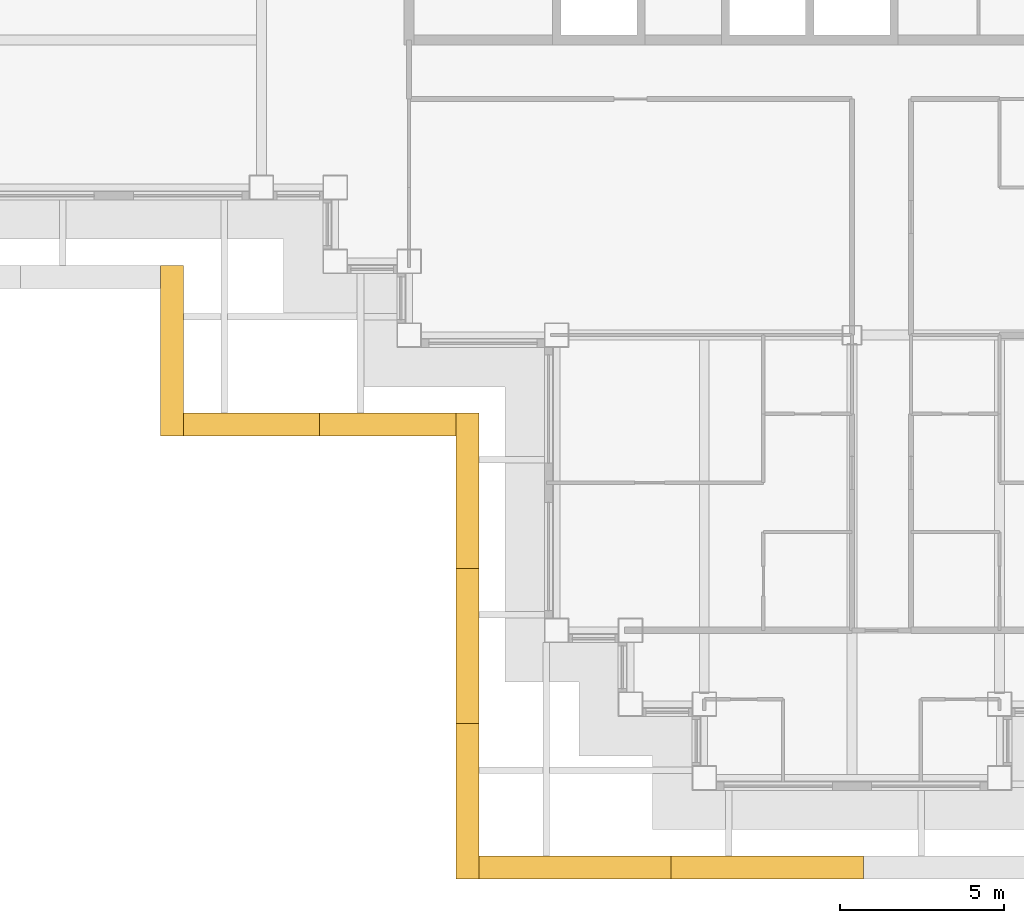
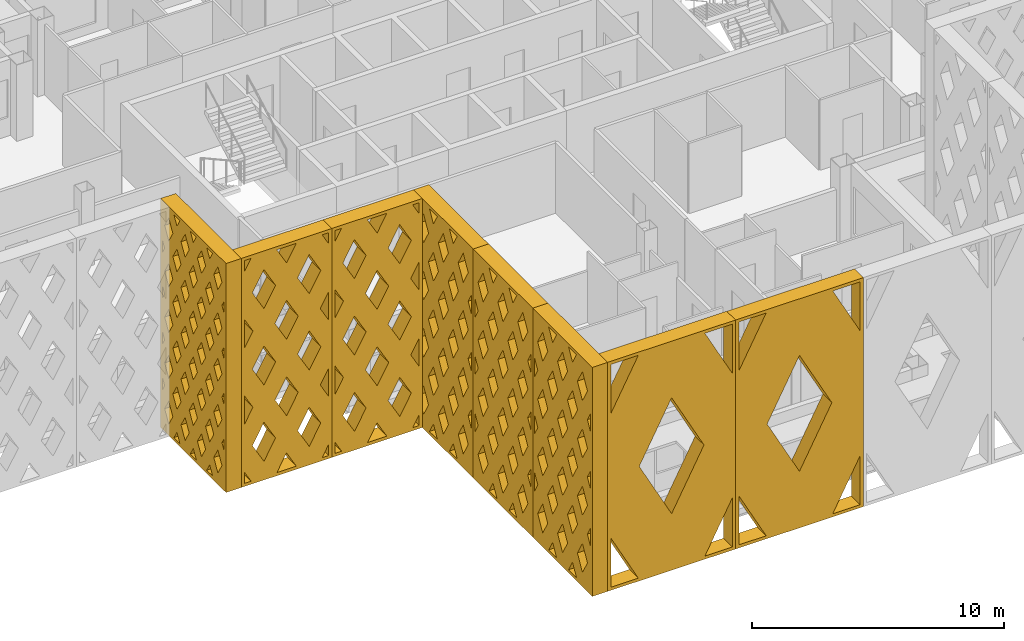
# One storey, part 13 of 18: 8 shading devices.
"""IFC4 building model written with IfcOpenShell, lengths in metres."""

from ifc_helpers import new_model, si_unit, direction, frame, origin, place, context, subcontext, project, spatial, polyline, outline, extrude, material, type_object, element, save


model = new_model("IFC4")

# Units and contexts
model_context = context("Model", 3, precision=1e-05, world=origin(), true_north=direction((0.0, 1.0)))
body_context = subcontext(model_context, "Body", "Model", "MODEL_VIEW")
ifc_project = project(units=[si_unit("LENGTHUNIT", "METRE"), si_unit("AREAUNIT", "SQUARE_METRE"), si_unit("VOLUMEUNIT", "CUBIC_METRE"), si_unit("PLANEANGLEUNIT", "RADIAN"), si_unit("MASSUNIT", "GRAM", prefix="KILO")], contexts=[model_context])

# Site, building, storey
site_placement = place(None, origin())
site = spatial("IfcSite", under=ifc_project, at=site_placement, CompositionType="ELEMENT")
building_placement = place(site_placement, origin())
building = spatial("IfcBuilding", under=site, at=building_placement, Name="Caravel Reach Hotel and Residences", CompositionType="ELEMENT")
storey_placement = place(building_placement, frame((0.0, 0.0, 176.5)))
storey = spatial("IfcBuildingStorey", under=building, at=storey_placement, Name="L44", CompositionType="ELEMENT", Elevation=176.5)

# Shading devices
ifc_material_1 = material(Name="Black powder-coated aluminium", Category="aluminium")
shading_device_type_1 = type_object("IfcShadingDeviceType", Name="Diamond lattice screen panel 4150 x 11100", PredefinedType="USERDEFINED", material=ifc_material_1)
shading_device_1_placement = place(storey_placement, frame((11.125, 11.125, 0.0), z_axis=(0.0, -1.0, 0.0), x_axis=(1.0, 0.0, 0.0)))
element("IfcShadingDevice", 1, at=shading_device_1_placement, inside=storey, type_object=shading_device_type_1, Name="Lattice screen L44-L46 16.1", ObjectType="SCREEN", PredefinedType="USERDEFINED", context=body_context, shape_type="SweptSolid", body=[
    extrude(outline(polyline([(0.0, 0.0), (4.14990234375, 0.0), (4.14990234375, 11.10009765625), (0.0, 11.10009765625), (0.0, 0.0)]), holes=[polyline([(0.447509765625, 0.14990234375), (0.14990234375, 0.6806640625), (0.14990234375, 0.14990234375), (0.447509765625, 0.14990234375)]), polyline([(0.53173828125, 3.699951171875), (0.14990234375, 4.380615234375), (0.14990234375, 3.019287109375), (0.53173828125, 3.699951171875)]), polyline([(0.53173828125, 7.39990234375), (0.14990234375, 8.08056640625), (0.14990234375, 6.719482421875), (0.53173828125, 7.39990234375)]), polyline([(0.14990234375, 10.41943359375), (0.447509765625, 10.949951171875), (0.14990234375, 10.949951171875), (0.14990234375, 10.41943359375)]), polyline([(1.03759765625, 2.798095703125), (0.505859375, 1.85009765625), (1.03759765625, 0.90185546875), (1.569091796875, 1.85009765625), (1.03759765625, 2.798095703125)]), polyline([(1.03759765625, 6.498046875), (0.505859375, 5.550048828125), (1.03759765625, 4.60205078125), (1.569091796875, 5.550048828125), (1.03759765625, 6.498046875)]), polyline([(1.03759765625, 10.197998046875), (0.505859375, 9.25), (1.03759765625, 8.302001953125), (1.569091796875, 9.25), (1.03759765625, 10.197998046875)]), polyline([(2.074951171875, 0.947998046875), (1.62744140625, 0.14990234375), (2.5224609375, 0.14990234375), (2.074951171875, 0.947998046875)]), polyline([(2.074951171875, 4.64794921875), (1.543212890625, 3.699951171875), (2.074951171875, 2.751953125), (2.606689453125, 3.699951171875), (2.074951171875, 4.64794921875)]), polyline([(2.074951171875, 8.34814453125), (1.543212890625, 7.39990234375), (2.074951171875, 6.451904296875), (2.606689453125, 7.39990234375), (2.074951171875, 8.34814453125)]), polyline([(2.074951171875, 10.15185546875), (2.5224609375, 10.949951171875), (1.62744140625, 10.949951171875), (2.074951171875, 10.15185546875)]), polyline([(3.112548828125, 2.798095703125), (2.580810546875, 1.85009765625), (3.112548828125, 0.90185546875), (3.644287109375, 1.85009765625), (3.112548828125, 2.798095703125)]), polyline([(3.112548828125, 6.498046875), (2.580810546875, 5.550048828125), (3.112548828125, 4.60205078125), (3.644287109375, 5.550048828125), (3.112548828125, 6.498046875)]), polyline([(3.112548828125, 10.197998046875), (2.580810546875, 9.25), (3.112548828125, 8.302001953125), (3.644287109375, 9.25), (3.112548828125, 10.197998046875)]), polyline([(4.0, 0.6806640625), (3.702392578125, 0.14990234375), (4.0, 0.14990234375), (4.0, 0.6806640625)]), polyline([(3.618408203125, 3.699951171875), (4.0, 3.019287109375), (4.0, 4.380615234375), (3.618408203125, 3.699951171875)]), polyline([(3.618408203125, 7.39990234375), (4.0, 6.719482421875), (4.0, 8.08056640625), (3.618408203125, 7.39990234375)]), polyline([(3.702392578125, 10.949951171875), (4.0, 10.41943359375), (4.0, 10.949951171875), (3.702392578125, 10.949951171875)])]), origin(), (0.0, 0.0, 1.0), 0.699951171875),
])
shading_device_2_placement = place(storey_placement, frame((15.27490234375, 11.125, 0.0), z_axis=(0.0, -1.0, 0.0), x_axis=(1.0, 0.0, 0.0)))
element("IfcShadingDevice", 2, at=shading_device_2_placement, inside=storey, type_object=shading_device_type_1, Name="Lattice screen L44-L46 16.2", ObjectType="SCREEN", PredefinedType="USERDEFINED", context=body_context, shape_type="SweptSolid", body=[
    extrude(outline(polyline([(0.0, 0.0), (4.14990234375, 0.0), (4.14990234375, 11.10009765625), (0.0, 11.10009765625), (0.0, 0.0)]), holes=[polyline([(0.447509765625, 0.14990234375), (0.14990234375, 0.6806640625), (0.14990234375, 0.14990234375), (0.447509765625, 0.14990234375)]), polyline([(0.53173828125, 3.699951171875), (0.14990234375, 4.380615234375), (0.14990234375, 3.019287109375), (0.53173828125, 3.699951171875)]), polyline([(0.53173828125, 7.39990234375), (0.14990234375, 8.08056640625), (0.14990234375, 6.719482421875), (0.53173828125, 7.39990234375)]), polyline([(0.14990234375, 10.41943359375), (0.447509765625, 10.949951171875), (0.14990234375, 10.949951171875), (0.14990234375, 10.41943359375)]), polyline([(1.03759765625, 2.798095703125), (0.505859375, 1.85009765625), (1.03759765625, 0.90185546875), (1.569091796875, 1.85009765625), (1.03759765625, 2.798095703125)]), polyline([(1.03759765625, 6.498046875), (0.505859375, 5.550048828125), (1.03759765625, 4.60205078125), (1.569091796875, 5.550048828125), (1.03759765625, 6.498046875)]), polyline([(1.03759765625, 10.197998046875), (0.505859375, 9.25), (1.03759765625, 8.302001953125), (1.569091796875, 9.25), (1.03759765625, 10.197998046875)]), polyline([(2.074951171875, 0.947998046875), (1.62744140625, 0.14990234375), (2.5224609375, 0.14990234375), (2.074951171875, 0.947998046875)]), polyline([(2.074951171875, 4.64794921875), (1.543212890625, 3.699951171875), (2.074951171875, 2.751953125), (2.606689453125, 3.699951171875), (2.074951171875, 4.64794921875)]), polyline([(2.074951171875, 8.34814453125), (1.543212890625, 7.39990234375), (2.074951171875, 6.451904296875), (2.606689453125, 7.39990234375), (2.074951171875, 8.34814453125)]), polyline([(2.074951171875, 10.15185546875), (2.5224609375, 10.949951171875), (1.62744140625, 10.949951171875), (2.074951171875, 10.15185546875)]), polyline([(3.112548828125, 2.798095703125), (2.580810546875, 1.85009765625), (3.112548828125, 0.90185546875), (3.644287109375, 1.85009765625), (3.112548828125, 2.798095703125)]), polyline([(3.112548828125, 6.498046875), (2.580810546875, 5.550048828125), (3.112548828125, 4.60205078125), (3.644287109375, 5.550048828125), (3.112548828125, 6.498046875)]), polyline([(3.112548828125, 10.197998046875), (2.580810546875, 9.25), (3.112548828125, 8.302001953125), (3.644287109375, 9.25), (3.112548828125, 10.197998046875)]), polyline([(4.0, 0.6806640625), (3.702392578125, 0.14990234375), (4.0, 0.14990234375), (4.0, 0.6806640625)]), polyline([(3.618408203125, 3.699951171875), (4.0, 3.019287109375), (4.0, 4.380615234375), (3.618408203125, 3.699951171875)]), polyline([(3.618408203125, 7.39990234375), (4.0, 6.719482421875), (4.0, 8.08056640625), (3.618408203125, 7.39990234375)]), polyline([(3.702392578125, 10.949951171875), (4.0, 10.41943359375), (4.0, 10.949951171875), (3.702392578125, 10.949951171875)])]), origin(), (0.0, 0.0, 1.0), 0.699951171875),
])
ifc_material_2 = material(Name="Black powder-coated aluminium", Category="aluminium")
shading_device_type_2 = type_object("IfcShadingDeviceType", Name="Diamond lattice screen panel 4733 x 11100", PredefinedType="USERDEFINED", material=ifc_material_2)
shading_device_3_placement = place(storey_placement, frame((20.125, 11.125, 0.0), z_axis=(-1.0, 0.0, 0.0), x_axis=(0.0, -1.0, 0.0)))
element("IfcShadingDevice", 3, at=shading_device_3_placement, inside=storey, type_object=shading_device_type_2, Name="Lattice screen L44-L46 1.1", ObjectType="SCREEN", PredefinedType="USERDEFINED", context=body_context, shape_type="SweptSolid", body=[
    extrude(outline(polyline([(0.0, 0.0), (4.7333984375, 0.0), (4.7333984375, 11.10009765625), (0.0, 11.10009765625), (0.0, 0.0)]), holes=[polyline([(0.401123046875, 2.77490234375), (0.14990234375, 3.216796875), (0.14990234375, 2.333251953125), (0.401123046875, 2.77490234375)]), polyline([(0.401123046875, 5.550048828125), (0.14990234375, 5.99169921875), (0.14990234375, 5.108154296875), (0.401123046875, 5.550048828125)]), polyline([(0.401123046875, 8.324951171875), (0.14990234375, 8.766845703125), (0.14990234375, 7.88330078125), (0.401123046875, 8.324951171875)]), polyline([(0.788818359375, 2.093017578125), (0.3876953125, 1.387451171875), (0.788818359375, 0.681884765625), (1.190185546875, 1.387451171875), (0.788818359375, 2.093017578125)]), polyline([(0.788818359375, 4.8681640625), (0.3876953125, 4.16259765625), (0.788818359375, 3.456787109375), (1.190185546875, 4.16259765625), (0.788818359375, 4.8681640625)]), polyline([(0.788818359375, 7.64306640625), (0.3876953125, 6.9375), (0.788818359375, 6.23193359375), (1.190185546875, 6.9375), (0.788818359375, 7.64306640625)]), polyline([(0.788818359375, 10.418212890625), (0.3876953125, 9.71240234375), (0.788818359375, 9.0068359375), (1.190185546875, 9.71240234375), (0.788818359375, 10.418212890625)]), polyline([(1.577880859375, 0.70556640625), (1.261962890625, 0.14990234375), (1.893798828125, 0.14990234375), (1.577880859375, 0.70556640625)]), polyline([(1.577880859375, 3.480712890625), (1.176513671875, 2.77490234375), (1.577880859375, 2.0693359375), (1.97900390625, 2.77490234375), (1.577880859375, 3.480712890625)]), polyline([(1.577880859375, 6.255615234375), (1.176513671875, 5.550048828125), (1.577880859375, 4.844482421875), (1.97900390625, 5.550048828125), (1.577880859375, 6.255615234375)]), polyline([(1.577880859375, 9.030517578125), (1.176513671875, 8.324951171875), (1.577880859375, 7.619384765625), (1.97900390625, 8.324951171875), (1.577880859375, 9.030517578125)]), polyline([(1.577880859375, 10.394287109375), (1.893798828125, 10.949951171875), (1.261962890625, 10.949951171875), (1.577880859375, 10.394287109375)]), polyline([(2.36669921875, 2.093017578125), (1.965576171875, 1.387451171875), (2.36669921875, 0.681884765625), (2.767822265625, 1.387451171875), (2.36669921875, 2.093017578125)]), polyline([(2.36669921875, 4.8681640625), (1.965576171875, 4.16259765625), (2.36669921875, 3.456787109375), (2.767822265625, 4.16259765625), (2.36669921875, 4.8681640625)]), polyline([(2.36669921875, 7.64306640625), (1.965576171875, 6.9375), (2.36669921875, 6.23193359375), (2.767822265625, 6.9375), (2.36669921875, 7.64306640625)]), polyline([(2.36669921875, 10.418212890625), (1.965576171875, 9.71240234375), (2.36669921875, 9.0068359375), (2.767822265625, 9.71240234375), (2.36669921875, 10.418212890625)]), polyline([(3.155517578125, 0.70556640625), (2.839599609375, 0.14990234375), (3.471435546875, 0.14990234375), (3.155517578125, 0.70556640625)]), polyline([(3.155517578125, 3.480712890625), (2.75439453125, 2.77490234375), (3.155517578125, 2.0693359375), (3.556640625, 2.77490234375), (3.155517578125, 3.480712890625)]), polyline([(3.155517578125, 6.255615234375), (2.75439453125, 5.550048828125), (3.155517578125, 4.844482421875), (3.556640625, 5.550048828125), (3.155517578125, 6.255615234375)]), polyline([(3.155517578125, 9.030517578125), (2.75439453125, 8.324951171875), (3.155517578125, 7.619384765625), (3.556640625, 8.324951171875), (3.155517578125, 9.030517578125)]), polyline([(3.155517578125, 10.394287109375), (3.471435546875, 10.949951171875), (2.839599609375, 10.949951171875), (3.155517578125, 10.394287109375)]), polyline([(3.9443359375, 2.093017578125), (3.543212890625, 1.387451171875), (3.9443359375, 0.681884765625), (4.345703125, 1.387451171875), (3.9443359375, 2.093017578125)]), polyline([(3.9443359375, 4.8681640625), (3.543212890625, 4.16259765625), (3.9443359375, 3.456787109375), (4.345703125, 4.16259765625), (3.9443359375, 4.8681640625)]), polyline([(3.9443359375, 7.64306640625), (3.543212890625, 6.9375), (3.9443359375, 6.23193359375), (4.345703125, 6.9375), (3.9443359375, 7.64306640625)]), polyline([(3.9443359375, 10.418212890625), (3.543212890625, 9.71240234375), (3.9443359375, 9.0068359375), (4.345703125, 9.71240234375), (3.9443359375, 10.418212890625)]), polyline([(4.33203125, 2.77490234375), (4.583251953125, 2.333251953125), (4.583251953125, 3.216796875), (4.33203125, 2.77490234375)]), polyline([(4.33203125, 5.550048828125), (4.583251953125, 5.108154296875), (4.583251953125, 5.99169921875), (4.33203125, 5.550048828125)]), polyline([(4.33203125, 8.324951171875), (4.583251953125, 7.88330078125), (4.583251953125, 8.766845703125), (4.33203125, 8.324951171875)])]), origin(), (0.0, 0.0, 1.0), 0.699951171875),
])
shading_device_4_placement = place(storey_placement, frame((20.125, 6.3916015625, 0.0), z_axis=(-1.0, 0.0, 0.0), x_axis=(0.0, -1.0, 0.0)))
element("IfcShadingDevice", 4, at=shading_device_4_placement, inside=storey, type_object=shading_device_type_2, Name="Lattice screen L44-L46 1.2", ObjectType="SCREEN", PredefinedType="USERDEFINED", context=body_context, shape_type="SweptSolid", body=[
    extrude(outline(polyline([(0.0, 0.0), (4.7333984375, 0.0), (4.7333984375, 11.10009765625), (0.0, 11.10009765625), (0.0, 0.0)]), holes=[polyline([(0.401123046875, 2.77490234375), (0.14990234375, 3.216796875), (0.14990234375, 2.333251953125), (0.401123046875, 2.77490234375)]), polyline([(0.401123046875, 5.550048828125), (0.14990234375, 5.99169921875), (0.14990234375, 5.108154296875), (0.401123046875, 5.550048828125)]), polyline([(0.401123046875, 8.324951171875), (0.14990234375, 8.766845703125), (0.14990234375, 7.88330078125), (0.401123046875, 8.324951171875)]), polyline([(0.788818359375, 2.093017578125), (0.3876953125, 1.387451171875), (0.788818359375, 0.681884765625), (1.190185546875, 1.387451171875), (0.788818359375, 2.093017578125)]), polyline([(0.788818359375, 4.8681640625), (0.3876953125, 4.16259765625), (0.788818359375, 3.456787109375), (1.190185546875, 4.16259765625), (0.788818359375, 4.8681640625)]), polyline([(0.788818359375, 7.64306640625), (0.3876953125, 6.9375), (0.788818359375, 6.23193359375), (1.190185546875, 6.9375), (0.788818359375, 7.64306640625)]), polyline([(0.788818359375, 10.418212890625), (0.3876953125, 9.71240234375), (0.788818359375, 9.0068359375), (1.190185546875, 9.71240234375), (0.788818359375, 10.418212890625)]), polyline([(1.577880859375, 0.70556640625), (1.261962890625, 0.14990234375), (1.893798828125, 0.14990234375), (1.577880859375, 0.70556640625)]), polyline([(1.577880859375, 3.480712890625), (1.176513671875, 2.77490234375), (1.577880859375, 2.0693359375), (1.97900390625, 2.77490234375), (1.577880859375, 3.480712890625)]), polyline([(1.577880859375, 6.255615234375), (1.176513671875, 5.550048828125), (1.577880859375, 4.844482421875), (1.97900390625, 5.550048828125), (1.577880859375, 6.255615234375)]), polyline([(1.577880859375, 9.030517578125), (1.176513671875, 8.324951171875), (1.577880859375, 7.619384765625), (1.97900390625, 8.324951171875), (1.577880859375, 9.030517578125)]), polyline([(1.577880859375, 10.394287109375), (1.893798828125, 10.949951171875), (1.261962890625, 10.949951171875), (1.577880859375, 10.394287109375)]), polyline([(2.36669921875, 2.093017578125), (1.965576171875, 1.387451171875), (2.36669921875, 0.681884765625), (2.767822265625, 1.387451171875), (2.36669921875, 2.093017578125)]), polyline([(2.36669921875, 4.8681640625), (1.965576171875, 4.16259765625), (2.36669921875, 3.456787109375), (2.767822265625, 4.16259765625), (2.36669921875, 4.8681640625)]), polyline([(2.36669921875, 7.64306640625), (1.965576171875, 6.9375), (2.36669921875, 6.23193359375), (2.767822265625, 6.9375), (2.36669921875, 7.64306640625)]), polyline([(2.36669921875, 10.418212890625), (1.965576171875, 9.71240234375), (2.36669921875, 9.0068359375), (2.767822265625, 9.71240234375), (2.36669921875, 10.418212890625)]), polyline([(3.155517578125, 0.70556640625), (2.839599609375, 0.14990234375), (3.471435546875, 0.14990234375), (3.155517578125, 0.70556640625)]), polyline([(3.155517578125, 3.480712890625), (2.75439453125, 2.77490234375), (3.155517578125, 2.0693359375), (3.556640625, 2.77490234375), (3.155517578125, 3.480712890625)]), polyline([(3.155517578125, 6.255615234375), (2.75439453125, 5.550048828125), (3.155517578125, 4.844482421875), (3.556640625, 5.550048828125), (3.155517578125, 6.255615234375)]), polyline([(3.155517578125, 9.030517578125), (2.75439453125, 8.324951171875), (3.155517578125, 7.619384765625), (3.556640625, 8.324951171875), (3.155517578125, 9.030517578125)]), polyline([(3.155517578125, 10.394287109375), (3.471435546875, 10.949951171875), (2.839599609375, 10.949951171875), (3.155517578125, 10.394287109375)]), polyline([(3.9443359375, 2.093017578125), (3.543212890625, 1.387451171875), (3.9443359375, 0.681884765625), (4.345703125, 1.387451171875), (3.9443359375, 2.093017578125)]), polyline([(3.9443359375, 4.8681640625), (3.543212890625, 4.16259765625), (3.9443359375, 3.456787109375), (4.345703125, 4.16259765625), (3.9443359375, 4.8681640625)]), polyline([(3.9443359375, 7.64306640625), (3.543212890625, 6.9375), (3.9443359375, 6.23193359375), (4.345703125, 6.9375), (3.9443359375, 7.64306640625)]), polyline([(3.9443359375, 10.418212890625), (3.543212890625, 9.71240234375), (3.9443359375, 9.0068359375), (4.345703125, 9.71240234375), (3.9443359375, 10.418212890625)]), polyline([(4.33203125, 2.77490234375), (4.583251953125, 2.333251953125), (4.583251953125, 3.216796875), (4.33203125, 2.77490234375)]), polyline([(4.33203125, 5.550048828125), (4.583251953125, 5.108154296875), (4.583251953125, 5.99169921875), (4.33203125, 5.550048828125)]), polyline([(4.33203125, 8.324951171875), (4.583251953125, 7.88330078125), (4.583251953125, 8.766845703125), (4.33203125, 8.324951171875)])]), origin(), (0.0, 0.0, 1.0), 0.699951171875),
])
shading_device_5_placement = place(storey_placement, frame((20.125, 1.658447265625, 0.0), z_axis=(-1.0, 0.0, 0.0), x_axis=(0.0, -1.0, 0.0)))
element("IfcShadingDevice", 5, at=shading_device_5_placement, inside=storey, type_object=shading_device_type_2, Name="Lattice screen L44-L46 1.3", ObjectType="SCREEN", PredefinedType="USERDEFINED", context=body_context, shape_type="SweptSolid", body=[
    extrude(outline(polyline([(0.0, 0.0), (4.7333984375, 0.0), (4.7333984375, 11.10009765625), (0.0, 11.10009765625), (0.0, 0.0)]), holes=[polyline([(0.401123046875, 2.77490234375), (0.14990234375, 3.216796875), (0.14990234375, 2.333251953125), (0.401123046875, 2.77490234375)]), polyline([(0.401123046875, 5.550048828125), (0.14990234375, 5.99169921875), (0.14990234375, 5.108154296875), (0.401123046875, 5.550048828125)]), polyline([(0.401123046875, 8.324951171875), (0.14990234375, 8.766845703125), (0.14990234375, 7.88330078125), (0.401123046875, 8.324951171875)]), polyline([(0.788818359375, 2.093017578125), (0.3876953125, 1.387451171875), (0.788818359375, 0.681884765625), (1.190185546875, 1.387451171875), (0.788818359375, 2.093017578125)]), polyline([(0.788818359375, 4.8681640625), (0.3876953125, 4.16259765625), (0.788818359375, 3.456787109375), (1.190185546875, 4.16259765625), (0.788818359375, 4.8681640625)]), polyline([(0.788818359375, 7.64306640625), (0.3876953125, 6.9375), (0.788818359375, 6.23193359375), (1.190185546875, 6.9375), (0.788818359375, 7.64306640625)]), polyline([(0.788818359375, 10.418212890625), (0.3876953125, 9.71240234375), (0.788818359375, 9.0068359375), (1.190185546875, 9.71240234375), (0.788818359375, 10.418212890625)]), polyline([(1.577880859375, 0.70556640625), (1.261962890625, 0.14990234375), (1.893798828125, 0.14990234375), (1.577880859375, 0.70556640625)]), polyline([(1.577880859375, 3.480712890625), (1.176513671875, 2.77490234375), (1.577880859375, 2.0693359375), (1.97900390625, 2.77490234375), (1.577880859375, 3.480712890625)]), polyline([(1.577880859375, 6.255615234375), (1.176513671875, 5.550048828125), (1.577880859375, 4.844482421875), (1.97900390625, 5.550048828125), (1.577880859375, 6.255615234375)]), polyline([(1.577880859375, 9.030517578125), (1.176513671875, 8.324951171875), (1.577880859375, 7.619384765625), (1.97900390625, 8.324951171875), (1.577880859375, 9.030517578125)]), polyline([(1.577880859375, 10.394287109375), (1.893798828125, 10.949951171875), (1.261962890625, 10.949951171875), (1.577880859375, 10.394287109375)]), polyline([(2.36669921875, 2.093017578125), (1.965576171875, 1.387451171875), (2.36669921875, 0.681884765625), (2.767822265625, 1.387451171875), (2.36669921875, 2.093017578125)]), polyline([(2.36669921875, 4.8681640625), (1.965576171875, 4.16259765625), (2.36669921875, 3.456787109375), (2.767822265625, 4.16259765625), (2.36669921875, 4.8681640625)]), polyline([(2.36669921875, 7.64306640625), (1.965576171875, 6.9375), (2.36669921875, 6.23193359375), (2.767822265625, 6.9375), (2.36669921875, 7.64306640625)]), polyline([(2.36669921875, 10.418212890625), (1.965576171875, 9.71240234375), (2.36669921875, 9.0068359375), (2.767822265625, 9.71240234375), (2.36669921875, 10.418212890625)]), polyline([(3.155517578125, 0.70556640625), (2.839599609375, 0.14990234375), (3.471435546875, 0.14990234375), (3.155517578125, 0.70556640625)]), polyline([(3.155517578125, 3.480712890625), (2.75439453125, 2.77490234375), (3.155517578125, 2.0693359375), (3.556640625, 2.77490234375), (3.155517578125, 3.480712890625)]), polyline([(3.155517578125, 6.255615234375), (2.75439453125, 5.550048828125), (3.155517578125, 4.844482421875), (3.556640625, 5.550048828125), (3.155517578125, 6.255615234375)]), polyline([(3.155517578125, 9.030517578125), (2.75439453125, 8.324951171875), (3.155517578125, 7.619384765625), (3.556640625, 8.324951171875), (3.155517578125, 9.030517578125)]), polyline([(3.155517578125, 10.394287109375), (3.471435546875, 10.949951171875), (2.839599609375, 10.949951171875), (3.155517578125, 10.394287109375)]), polyline([(3.9443359375, 2.093017578125), (3.543212890625, 1.387451171875), (3.9443359375, 0.681884765625), (4.345703125, 1.387451171875), (3.9443359375, 2.093017578125)]), polyline([(3.9443359375, 4.8681640625), (3.543212890625, 4.16259765625), (3.9443359375, 3.456787109375), (4.345703125, 4.16259765625), (3.9443359375, 4.8681640625)]), polyline([(3.9443359375, 7.64306640625), (3.543212890625, 6.9375), (3.9443359375, 6.23193359375), (4.345703125, 6.9375), (3.9443359375, 7.64306640625)]), polyline([(3.9443359375, 10.418212890625), (3.543212890625, 9.71240234375), (3.9443359375, 9.0068359375), (4.345703125, 9.71240234375), (3.9443359375, 10.418212890625)]), polyline([(4.33203125, 2.77490234375), (4.583251953125, 2.333251953125), (4.583251953125, 3.216796875), (4.33203125, 2.77490234375)]), polyline([(4.33203125, 5.550048828125), (4.583251953125, 5.108154296875), (4.583251953125, 5.99169921875), (4.33203125, 5.550048828125)]), polyline([(4.33203125, 8.324951171875), (4.583251953125, 7.88330078125), (4.583251953125, 8.766845703125), (4.33203125, 8.324951171875)])]), origin(), (0.0, 0.0, 1.0), 0.699951171875),
])
ifc_material_3 = material(Name="Black powder-coated aluminium", Category="aluminium")
shading_device_type_3 = type_object("IfcShadingDeviceType", Name="Diamond lattice screen panel 5200 x 11100", PredefinedType="USERDEFINED", material=ifc_material_3)
shading_device_6_placement = place(storey_placement, frame((11.125, 15.625, 0.0), z_axis=(-1.0, 0.0, 0.0), x_axis=(0.0, -1.0, 0.0)))
element("IfcShadingDevice", 6, at=shading_device_6_placement, inside=storey, type_object=shading_device_type_3, Name="Lattice screen L44-L46 15.1", ObjectType="SCREEN", PredefinedType="USERDEFINED", context=body_context, shape_type="SweptSolid", body=[
    extrude(outline(polyline([(0.0, 0.0), (5.199951171875, 0.0), (5.199951171875, 11.10009765625), (0.0, 11.10009765625), (0.0, 0.0)]), holes=[polyline([(0.326904296875, 2.219970703125), (0.14990234375, 2.522216796875), (0.14990234375, 1.917724609375), (0.326904296875, 2.219970703125)]), polyline([(0.326904296875, 4.43994140625), (0.14990234375, 4.7421875), (0.14990234375, 4.1376953125), (0.326904296875, 4.43994140625)]), polyline([(0.326904296875, 6.659912109375), (0.14990234375, 6.962158203125), (0.14990234375, 6.357666015625), (0.326904296875, 6.659912109375)]), polyline([(0.326904296875, 8.8798828125), (0.14990234375, 9.18212890625), (0.14990234375, 8.577880859375), (0.326904296875, 8.8798828125)]), polyline([(0.64990234375, 1.66845703125), (0.322998046875, 1.110107421875), (0.64990234375, 0.551513671875), (0.97705078125, 1.110107421875), (0.64990234375, 1.66845703125)]), polyline([(0.64990234375, 3.888427734375), (0.322998046875, 3.330078125), (0.64990234375, 2.771728515625), (0.97705078125, 3.330078125), (0.64990234375, 3.888427734375)]), polyline([(0.64990234375, 6.1083984375), (0.322998046875, 5.550048828125), (0.64990234375, 4.99169921875), (0.97705078125, 5.550048828125), (0.64990234375, 6.1083984375)]), polyline([(0.64990234375, 8.328369140625), (0.322998046875, 7.77001953125), (0.64990234375, 7.211669921875), (0.97705078125, 7.77001953125), (0.64990234375, 8.328369140625)]), polyline([(0.64990234375, 10.54833984375), (0.322998046875, 9.989990234375), (0.64990234375, 9.431640625), (0.97705078125, 9.989990234375), (0.64990234375, 10.54833984375)]), polyline([(1.300048828125, 0.558349609375), (1.060791015625, 0.14990234375), (1.5390625, 0.14990234375), (1.300048828125, 0.558349609375)]), polyline([(1.300048828125, 2.7783203125), (0.97314453125, 2.219970703125), (1.300048828125, 1.66162109375), (1.626953125, 2.219970703125), (1.300048828125, 2.7783203125)]), polyline([(1.300048828125, 4.998291015625), (0.97314453125, 4.43994140625), (1.300048828125, 3.881591796875), (1.626953125, 4.43994140625), (1.300048828125, 4.998291015625)]), polyline([(1.300048828125, 7.21826171875), (0.97314453125, 6.659912109375), (1.300048828125, 6.1015625), (1.626953125, 6.659912109375), (1.300048828125, 7.21826171875)]), polyline([(1.300048828125, 9.4384765625), (0.97314453125, 8.8798828125), (1.300048828125, 8.321533203125), (1.626953125, 8.8798828125), (1.300048828125, 9.4384765625)]), polyline([(1.300048828125, 10.541748046875), (1.5390625, 10.949951171875), (1.060791015625, 10.949951171875), (1.300048828125, 10.541748046875)]), polyline([(1.949951171875, 1.66845703125), (1.623046875, 1.110107421875), (1.949951171875, 0.551513671875), (2.27685546875, 1.110107421875), (1.949951171875, 1.66845703125)]), polyline([(1.949951171875, 3.888427734375), (1.623046875, 3.330078125), (1.949951171875, 2.771728515625), (2.27685546875, 3.330078125), (1.949951171875, 3.888427734375)]), polyline([(1.949951171875, 6.1083984375), (1.623046875, 5.550048828125), (1.949951171875, 4.99169921875), (2.27685546875, 5.550048828125), (1.949951171875, 6.1083984375)]), polyline([(1.949951171875, 8.328369140625), (1.623046875, 7.77001953125), (1.949951171875, 7.211669921875), (2.27685546875, 7.77001953125), (1.949951171875, 8.328369140625)]), polyline([(1.949951171875, 10.54833984375), (1.623046875, 9.989990234375), (1.949951171875, 9.431640625), (2.27685546875, 9.989990234375), (1.949951171875, 10.54833984375)]), polyline([(2.60009765625, 0.558349609375), (2.36083984375, 0.14990234375), (2.839111328125, 0.14990234375), (2.60009765625, 0.558349609375)]), polyline([(2.60009765625, 2.7783203125), (2.27294921875, 2.219970703125), (2.60009765625, 1.66162109375), (2.927001953125, 2.219970703125), (2.60009765625, 2.7783203125)]), polyline([(2.60009765625, 4.998291015625), (2.27294921875, 4.43994140625), (2.60009765625, 3.881591796875), (2.927001953125, 4.43994140625), (2.60009765625, 4.998291015625)]), polyline([(2.60009765625, 7.21826171875), (2.27294921875, 6.659912109375), (2.60009765625, 6.1015625), (2.927001953125, 6.659912109375), (2.60009765625, 7.21826171875)]), polyline([(2.60009765625, 9.4384765625), (2.27294921875, 8.8798828125), (2.60009765625, 8.321533203125), (2.927001953125, 8.8798828125), (2.60009765625, 9.4384765625)]), polyline([(2.60009765625, 10.541748046875), (2.839111328125, 10.949951171875), (2.36083984375, 10.949951171875), (2.60009765625, 10.541748046875)]), polyline([(3.25, 1.66845703125), (2.923095703125, 1.110107421875), (3.25, 0.551513671875), (3.576904296875, 1.110107421875), (3.25, 1.66845703125)]), polyline([(3.25, 3.888427734375), (2.923095703125, 3.330078125), (3.25, 2.771728515625), (3.576904296875, 3.330078125), (3.25, 3.888427734375)]), polyline([(3.25, 6.1083984375), (2.923095703125, 5.550048828125), (3.25, 4.99169921875), (3.576904296875, 5.550048828125), (3.25, 6.1083984375)]), polyline([(3.25, 8.328369140625), (2.923095703125, 7.77001953125), (3.25, 7.211669921875), (3.576904296875, 7.77001953125), (3.25, 8.328369140625)]), polyline([(3.25, 10.54833984375), (2.923095703125, 9.989990234375), (3.25, 9.431640625), (3.576904296875, 9.989990234375), (3.25, 10.54833984375)]), polyline([(3.89990234375, 0.558349609375), (3.660888671875, 0.14990234375), (4.13916015625, 0.14990234375), (3.89990234375, 0.558349609375)]), polyline([(3.89990234375, 2.7783203125), (3.572998046875, 2.219970703125), (3.89990234375, 1.66162109375), (4.22705078125, 2.219970703125), (3.89990234375, 2.7783203125)]), polyline([(3.89990234375, 4.998291015625), (3.572998046875, 4.43994140625), (3.89990234375, 3.881591796875), (4.22705078125, 4.43994140625), (3.89990234375, 4.998291015625)]), polyline([(3.89990234375, 7.21826171875), (3.572998046875, 6.659912109375), (3.89990234375, 6.1015625), (4.22705078125, 6.659912109375), (3.89990234375, 7.21826171875)]), polyline([(3.89990234375, 9.4384765625), (3.572998046875, 8.8798828125), (3.89990234375, 8.321533203125), (4.22705078125, 8.8798828125), (3.89990234375, 9.4384765625)]), polyline([(3.89990234375, 10.541748046875), (4.13916015625, 10.949951171875), (3.660888671875, 10.949951171875), (3.89990234375, 10.541748046875)]), polyline([(4.550048828125, 1.66845703125), (4.22314453125, 1.110107421875), (4.550048828125, 0.551513671875), (4.876953125, 1.110107421875), (4.550048828125, 1.66845703125)]), polyline([(4.550048828125, 3.888427734375), (4.22314453125, 3.330078125), (4.550048828125, 2.771728515625), (4.876953125, 3.330078125), (4.550048828125, 3.888427734375)]), polyline([(4.550048828125, 6.1083984375), (4.22314453125, 5.550048828125), (4.550048828125, 4.99169921875), (4.876953125, 5.550048828125), (4.550048828125, 6.1083984375)]), polyline([(4.550048828125, 8.328369140625), (4.22314453125, 7.77001953125), (4.550048828125, 7.211669921875), (4.876953125, 7.77001953125), (4.550048828125, 8.328369140625)]), polyline([(4.550048828125, 10.54833984375), (4.22314453125, 9.989990234375), (4.550048828125, 9.431640625), (4.876953125, 9.989990234375), (4.550048828125, 10.54833984375)]), polyline([(4.873046875, 2.219970703125), (5.050048828125, 1.917724609375), (5.050048828125, 2.522216796875), (4.873046875, 2.219970703125)]), polyline([(4.873046875, 4.43994140625), (5.050048828125, 4.1376953125), (5.050048828125, 4.7421875), (4.873046875, 4.43994140625)]), polyline([(4.873046875, 6.659912109375), (5.050048828125, 6.357666015625), (5.050048828125, 6.962158203125), (4.873046875, 6.659912109375)]), polyline([(4.873046875, 8.8798828125), (5.050048828125, 8.577880859375), (5.050048828125, 9.18212890625), (4.873046875, 8.8798828125)])]), origin(), (0.0, 0.0, 1.0), 0.699951171875),
])
ifc_material_4 = material(Name="Black powder-coated aluminium", Category="aluminium")
shading_device_type_4 = type_object("IfcShadingDeviceType", Name="Diamond lattice screen panel 5862 x 11100", PredefinedType="USERDEFINED", material=ifc_material_4)
for number, where, z_axis, x_axis, name in (
    (7, (20.125, -2.375, 0.0), (0.0, -1.0, 0.0), (1.0, 0.0, 0.0), "Lattice screen L44-L46 2.1"),
    (8, (25.987548828125, -2.375, 0.0), (0.0, -1.0, 0.0), (1.0, 0.0, 0.0), "Lattice screen L44-L46 2.2"),
):
    element("IfcShadingDevice", number, at=place(storey_placement, frame(where, z_axis=z_axis, x_axis=x_axis)), inside=storey, type_object=shading_device_type_4, Name=name, ObjectType="SCREEN", PredefinedType="USERDEFINED", context=body_context, shape_type="SweptSolid", body=[
        extrude(outline(polyline([(0.0, 0.0), (5.862548828125, 0.0), (5.862548828125, 11.10009765625), (0.0, 11.10009765625), (0.0, 0.0)]), holes=[polyline([(1.405517578125, 0.14990234375), (0.14990234375, 2.527099609375), (0.14990234375, 0.14990234375), (1.405517578125, 0.14990234375)]), polyline([(0.14990234375, 8.572998046875), (1.405517578125, 10.949951171875), (0.14990234375, 10.949951171875), (0.14990234375, 8.572998046875)]), polyline([(2.93115234375, 8.361083984375), (1.446533203125, 5.550048828125), (2.93115234375, 2.73876953125), (4.416015625, 5.550048828125), (2.93115234375, 8.361083984375)]), polyline([(5.71240234375, 2.527099609375), (4.45703125, 0.14990234375), (5.71240234375, 0.14990234375), (5.71240234375, 2.527099609375)]), polyline([(4.45703125, 10.949951171875), (5.71240234375, 8.572998046875), (5.71240234375, 10.949951171875), (4.45703125, 10.949951171875)])]), origin(), (0.0, 0.0, 1.0), 0.699951171875),
    ])

save(model, "model.ifc")
